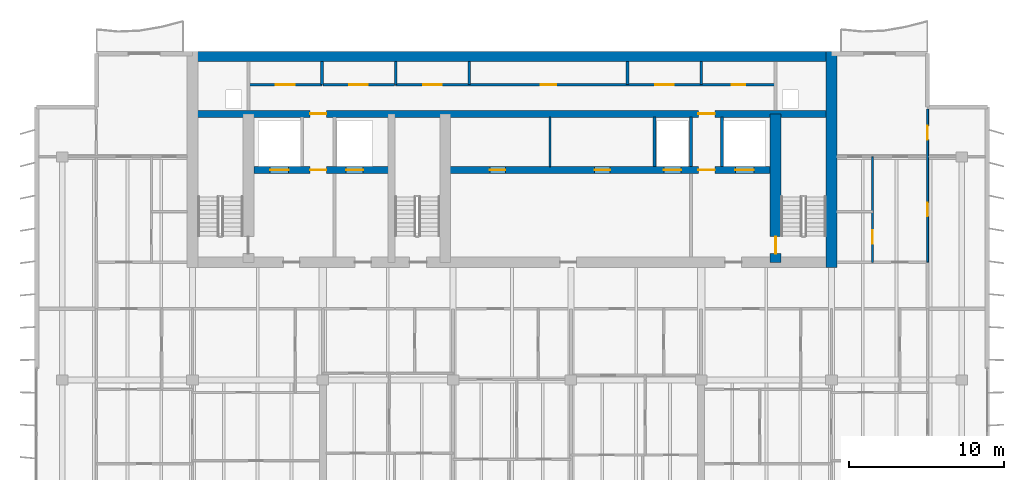
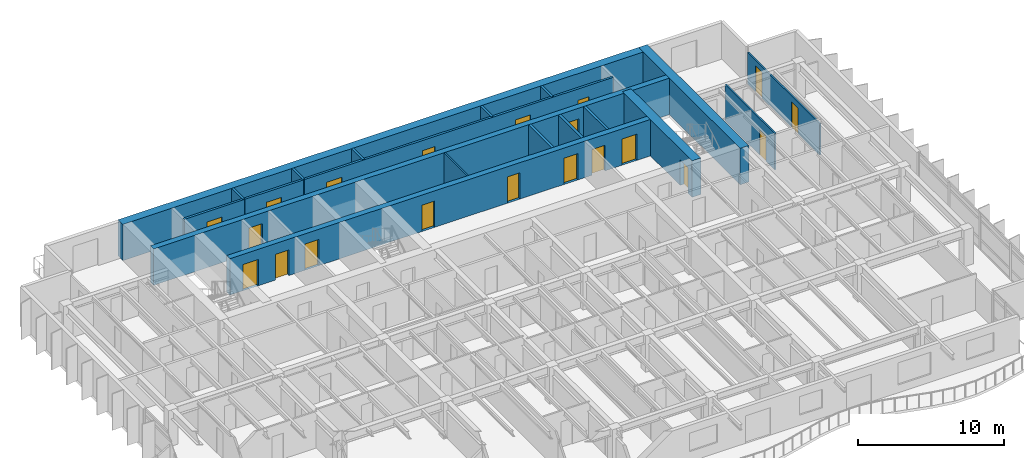
# One storey, part 10 of 16: 20 doors, 19 walls, 20 openings.
"""IFC4 building model written with IfcOpenShell, lengths in metres."""

from ifc_helpers import new_model, si_unit, direction, frame, frame_2d, origin, place, context, subcontext, project, spatial, rectangle, extrude, material, layer, layer_set, type_object, element, fill, save


model = new_model("IFC4")

# Units and contexts
model_context = context("Model", 3, precision=1e-05, world=origin(), true_north=direction((0.0, 1.0)))
body_context = subcontext(model_context, "Body", "Model", "MODEL_VIEW")
ifc_project = project(units=[si_unit("LENGTHUNIT", "METRE"), si_unit("AREAUNIT", "SQUARE_METRE"), si_unit("VOLUMEUNIT", "CUBIC_METRE"), si_unit("PLANEANGLEUNIT", "RADIAN"), si_unit("MASSUNIT", "GRAM", prefix="KILO")], contexts=[model_context])

# Site, building, storey
site_placement = place(None, origin())
site = spatial("IfcSite", under=ifc_project, at=site_placement, CompositionType="ELEMENT")
building_placement = place(site_placement, origin())
building = spatial("IfcBuilding", under=site, at=building_placement, Name="Caelmar Bay Residences", CompositionType="ELEMENT")
storey_placement = place(building_placement, frame((0.0, 0.0, 233.10009765625)))
storey = spatial("IfcBuildingStorey", under=building, at=storey_placement, Name="L65", CompositionType="ELEMENT", Elevation=233.10009765625)

# Wall
ifc_material_1 = material(Name="Concrete f'c 55 MPa (8,000 psi)", Category="concrete")
ifc_layer_1 = layer(ifc_material_1, 0.699951171875)
ifc_layer_set_1 = layer_set([ifc_layer_1], Name="Concrete f'c 55 MPa (8,000 psi)")
wall_type_1 = type_object("IfcWallType", Name="SW-COR-700", PredefinedType="SHEAR", material=ifc_layer_set_1)
wall_1_placement = place(storey_placement, frame((59.5, 36.64990234375, 0.0), z_axis=(0.0, 0.0, 1.0), x_axis=(0.0, 1.0, 0.0)))
element("IfcWall", 1, at=wall_1_placement, inside=storey, type_object=wall_type_1, Name="L65 Rear Core East Shear Wall", PredefinedType="SHEAR", context=body_context, shape_type="SweptSolid", body=[
    extrude(rectangle(XDim=13.9501953125, YDim=0.699951171875, at=frame_2d((6.97509765625, 0.0))), origin(), (0.0, 0.0, 1.0), 3.0498046875),
])

# Wall, opening, door
wall_2_placement = place(storey_placement, frame((55.89990234375, 37.0, 0.0), z_axis=(0.0, 0.0, 1.0), x_axis=(0.0, 1.0, 0.0)))
wall_2 = element("IfcWall", 2, at=wall_2_placement, inside=storey, type_object=wall_type_1, Name="L65 Core Structural Web Wall ST2W", PredefinedType="SHEAR", context=body_context, shape_type="SweptSolid", body=[
    extrude(rectangle(XDim=9.574951171875, YDim=0.699951171875, at=frame_2d((4.78759765625, 0.0))), origin(), (0.0, 0.0, 1.0), 3.0498046875),
])
opening_1_placement = place(wall_2_placement, frame((0.550048828125, 0.0, 0.0)))
opening_1 = element("IfcOpeningElement", 3, at=opening_1_placement, cuts=wall_2, Name="Opening D-L65-110", PredefinedType="OPENING", context=body_context, shape_type="SweptSolid", body=[
    extrude(rectangle(XDim=1.10009765625, YDim=2.14990234375, at=frame_2d((0.550048828125, 1.074951171875))), frame((0.0, 0.35986328125, 0.0), z_axis=(0.0, -1.0, 0.0), x_axis=(1.0, 0.0, 0.0)), (0.0, 0.0, 1.0), 0.719970703125),
])
ifc_material_2 = material(Name="Fire-rated steel and walnut architectural door assembly", Category="steel")
ifc_layer_2 = layer(ifc_material_2, 0.050048828125)
ifc_layer_set_2 = layer_set([ifc_layer_2], Name="Fire-rated steel and walnut architectural door assembly")
door_type_1 = type_object("IfcDoorType", Name="D-STAIR-1100", OperationType="NOTDEFINED", PredefinedType="DOOR", material=ifc_layer_set_2)
door_1_placement = place(opening_1_placement, origin())
door_1 = element("IfcDoor", 4, at=door_1_placement, inside=storey, type_object=door_type_1, Name="L65 Firefighting Lobby East Door", OperationType="SINGLE_SWING_LEFT", OverallHeight=2.14990234375, OverallWidth=1.10009765625, PredefinedType="DOOR", context=body_context, shape_type="SweptSolid", body=[
    extrude(rectangle(XDim=1.10009765625, YDim=2.14990234375, at=frame_2d((0.550048828125, 1.074951171875))), frame((0.0, 0.02490234375, 0.0), z_axis=(0.0, -1.0, 0.0), x_axis=(1.0, 0.0, 0.0)), (0.0, 0.0, 1.0), 0.050048828125),
])
fill(opening_1, door_1)

# Wall
ifc_layer_3 = layer(ifc_material_1, 0.64990234375)
ifc_layer_set_3 = layer_set([ifc_layer_3], Name="Concrete f'c 55 MPa (8,000 psi)")
wall_type_2 = type_object("IfcWallType", Name="SW-CORN-650", PredefinedType="SHEAR", material=ifc_layer_set_3)
wall_3_placement = place(storey_placement, frame((17.949951171875, 50.27490234375, 0.0), z_axis=(0.0, 0.0, 1.0), x_axis=(1.0, 0.0, 0.0)))
element("IfcWall", 5, at=wall_3_placement, inside=storey, type_object=wall_type_2, Name="L65 Rear Core North Shear Wall", PredefinedType="SHEAR", context=body_context, shape_type="SweptSolid", body=[
    extrude(rectangle(XDim=41.900146484375, YDim=0.64990234375, at=frame_2d((20.9501953125, 0.0))), origin(), (0.0, 0.0, 1.0), 3.0498046875),
])

# Wall, openings, doors
ifc_material_3 = material(Name="Concrete f'c 70 MPa (10,000 psi)", Category="concrete")
ifc_layer_4 = layer(ifc_material_3, 0.449951171875)
ifc_layer_set_4 = layer_set([ifc_layer_4], Name="Concrete f'c 70 MPa (10,000 psi)")
wall_type_3 = type_object("IfcWallType", Name="SW-WEB-450", PredefinedType="SHEAR", material=ifc_layer_set_4)
wall_4_placement = place(storey_placement, frame((22.25, 42.949951171875, 0.0), z_axis=(0.0, 0.0, 1.0), x_axis=(1.0, 0.0, 0.0)))
wall_4 = element("IfcWall", 6, at=wall_4_placement, inside=storey, type_object=wall_type_3, Name="L65 Core Structural Web Wall LFR", PredefinedType="SHEAR", context=body_context, shape_type="SweptSolid", body=[
    extrude(rectangle(XDim=33.300048828125, YDim=0.449951171875, at=frame_2d((16.64990234375, 0.0))), origin(), (0.0, 0.0, 1.0), 3.0498046875),
])
opening_2_placement = place(wall_4_placement, frame((1.050048828125, 0.0, 0.0)))
opening_2 = element("IfcOpeningElement", 7, at=opening_2_placement, cuts=wall_4, Name="Opening LD2", PredefinedType="OPENING", context=body_context, shape_type="SweptSolid", body=[
    extrude(rectangle(XDim=1.199951171875, YDim=2.199951171875, at=frame_2d((0.60009765625, 1.10009765625))), frame((0.0, 0.23486328125, 0.0), z_axis=(0.0, -1.0, 0.0), x_axis=(1.0, 0.0, 0.0)), (0.0, 0.0, 1.0), 0.469970703125),
])
opening_3_placement = place(wall_4_placement, frame((31.050048828125, 0.0, 0.0)))
opening_3 = element("IfcOpeningElement", 8, at=opening_3_placement, cuts=wall_4, Name="Opening LD2", PredefinedType="OPENING", context=body_context, shape_type="SweptSolid", body=[
    extrude(rectangle(XDim=1.199951171875, YDim=2.199951171875, at=frame_2d((0.60009765625, 1.10009765625))), frame((0.0, 0.23486328125, 0.0), z_axis=(0.0, -1.0, 0.0), x_axis=(1.0, 0.0, 0.0)), (0.0, 0.0, 1.0), 0.469970703125),
])
opening_4_placement = place(wall_4_placement, frame((26.449951171875, 0.0, 0.0)))
opening_4 = element("IfcOpeningElement", 9, at=opening_4_placement, cuts=wall_4, Name="Opening LD1", PredefinedType="OPENING", context=body_context, shape_type="SweptSolid", body=[
    extrude(rectangle(XDim=1.10009765625, YDim=2.199951171875, at=frame_2d((0.550048828125, 1.10009765625))), frame((0.0, 0.23486328125, 0.0), z_axis=(0.0, -1.0, 0.0), x_axis=(1.0, 0.0, 0.0)), (0.0, 0.0, 1.0), 0.469970703125),
])
opening_5_placement = place(wall_4_placement, frame((5.949951171875, 0.0, 0.0)))
opening_5 = element("IfcOpeningElement", 10, at=opening_5_placement, cuts=wall_4, Name="Opening LD1", PredefinedType="OPENING", context=body_context, shape_type="SweptSolid", body=[
    extrude(rectangle(XDim=1.10009765625, YDim=2.199951171875, at=frame_2d((0.550048828125, 1.10009765625))), frame((0.0, 0.23486328125, 0.0), z_axis=(0.0, -1.0, 0.0), x_axis=(1.0, 0.0, 0.0)), (0.0, 0.0, 1.0), 0.469970703125),
])
opening_6_placement = place(wall_4_placement, frame((3.625, 0.0, 0.0)))
opening_6 = element("IfcOpeningElement", 11, at=opening_6_placement, cuts=wall_4, Name="Opening D-L65-108", PredefinedType="OPENING", context=body_context, shape_type="SweptSolid", body=[
    extrude(rectangle(XDim=1.050048828125, YDim=2.14990234375, at=frame_2d((0.52490234375, 1.074951171875))), frame((0.0, 0.23486328125, 0.0), z_axis=(0.0, -1.0, 0.0), x_axis=(1.0, 0.0, 0.0)), (0.0, 0.0, 1.0), 0.469970703125),
])
opening_7_placement = place(wall_4_placement, frame((28.675048828125, 0.0, 0.0)))
opening_7 = element("IfcOpeningElement", 12, at=opening_7_placement, cuts=wall_4, Name="Opening D-L65-111", PredefinedType="OPENING", context=body_context, shape_type="SweptSolid", body=[
    extrude(rectangle(XDim=1.050048828125, YDim=2.14990234375, at=frame_2d((0.52490234375, 1.074951171875))), frame((0.0, 0.23486328125, 0.0), z_axis=(0.0, -1.0, 0.0), x_axis=(1.0, 0.0, 0.0)), (0.0, 0.0, 1.0), 0.469970703125),
])
opening_8_placement = place(wall_4_placement, frame((15.22509765625, 0.0, 0.0)))
opening_8 = element("IfcOpeningElement", 13, at=opening_8_placement, cuts=wall_4, Name="Opening D-L65-114", PredefinedType="OPENING", context=body_context, shape_type="SweptSolid", body=[
    extrude(rectangle(XDim=1.0, YDim=2.199951171875, at=frame_2d((0.5, 1.10009765625))), frame((0.0, 0.23486328125, 0.0), z_axis=(0.0, -1.0, 0.0), x_axis=(1.0, 0.0, 0.0)), (0.0, 0.0, 1.0), 0.469970703125),
])
opening_9_placement = place(wall_4_placement, frame((21.97509765625, 0.0, 0.0)))
opening_9 = element("IfcOpeningElement", 14, at=opening_9_placement, cuts=wall_4, Name="Opening D-L65-115", PredefinedType="OPENING", context=body_context, shape_type="SweptSolid", body=[
    extrude(rectangle(XDim=1.0, YDim=2.199951171875, at=frame_2d((0.5, 1.10009765625))), frame((0.0, 0.23486328125, 0.0), z_axis=(0.0, -1.0, 0.0), x_axis=(1.0, 0.0, 0.0)), (0.0, 0.0, 1.0), 0.469970703125),
])
ifc_layer_5 = layer(ifc_material_2, 0.050048828125)
ifc_layer_set_5 = layer_set([ifc_layer_5], Name="Fire-rated steel and walnut architectural door assembly")
door_type_2 = type_object("IfcDoorType", Name="D-FSAE-1050", OperationType="NOTDEFINED", PredefinedType="DOOR", material=ifc_layer_set_5)
door_2_placement = place(opening_6_placement, origin())
door_2 = element("IfcDoor", 15, at=door_2_placement, inside=storey, type_object=door_type_2, Name="L65 Firefighting Lobby West Door", OperationType="SINGLE_SWING_LEFT", OverallHeight=2.14990234375, OverallWidth=1.050048828125, PredefinedType="DOOR", context=body_context, shape_type="SweptSolid", body=[
    extrude(rectangle(XDim=1.050048828125, YDim=2.14990234375, at=frame_2d((0.52490234375, 1.074951171875))), frame((0.0, 0.02490234375, 0.0), z_axis=(0.0, -1.0, 0.0), x_axis=(1.0, 0.0, 0.0)), (0.0, 0.0, 1.0), 0.050048828125),
])
fill(opening_6, door_2)
door_3_placement = place(opening_7_placement, origin())
door_3 = element("IfcDoor", 16, at=door_3_placement, inside=storey, type_object=door_type_2, Name="L65 Firefighting Lobby East Door", OperationType="SINGLE_SWING_RIGHT", OverallHeight=2.14990234375, OverallWidth=1.050048828125, PredefinedType="DOOR", context=body_context, shape_type="SweptSolid", body=[
    extrude(rectangle(XDim=1.050048828125, YDim=2.14990234375, at=frame_2d((0.52490234375, 1.074951171875))), frame((0.0, 0.02490234375, 0.0), z_axis=(0.0, -1.0, 0.0), x_axis=(1.0, 0.0, 0.0)), (0.0, 0.0, 1.0), 0.050048828125),
])
fill(opening_7, door_3)
ifc_material_4 = material(Name="Brushed bronze stainless-steel fire-rated lift landing doors", Category="steel")
ifc_layer_6 = layer(ifc_material_4, 0.050048828125)
ifc_layer_set_6 = layer_set([ifc_layer_6], Name="Brushed bronze stainless-steel fire-rated lift landing doors")
door_type_3 = type_object("IfcDoorType", Name="D-LND-1100", OperationType="DOUBLE_DOOR_SLIDING", PredefinedType="DOOR", material=ifc_layer_set_6)
door_4_placement = place(opening_4_placement, origin())
door_4 = element("IfcDoor", 17, at=door_4_placement, inside=storey, type_object=door_type_3, Name="L65 LP6 Sliding Landing Door", OperationType="DOUBLE_DOOR_SLIDING", OverallHeight=2.199951171875, OverallWidth=1.10009765625, PredefinedType="DOOR", context=body_context, shape_type="SweptSolid", body=[
    extrude(rectangle(XDim=1.10009765625, YDim=2.199951171875, at=frame_2d((0.550048828125, 1.10009765625))), frame((0.0, 0.02490234375, 0.0), z_axis=(0.0, -1.0, 0.0), x_axis=(1.0, 0.0, 0.0)), (0.0, 0.0, 1.0), 0.050048828125),
])
fill(opening_4, door_4)
door_5_placement = place(opening_5_placement, origin())
door_5 = element("IfcDoor", 18, at=door_5_placement, inside=storey, type_object=door_type_3, Name="L65 LP7 Sliding Landing Door", OperationType="DOUBLE_DOOR_SLIDING", OverallHeight=2.199951171875, OverallWidth=1.10009765625, PredefinedType="DOOR", context=body_context, shape_type="SweptSolid", body=[
    extrude(rectangle(XDim=1.10009765625, YDim=2.199951171875, at=frame_2d((0.550048828125, 1.10009765625))), frame((0.0, 0.02490234375, 0.0), z_axis=(0.0, -1.0, 0.0), x_axis=(1.0, 0.0, 0.0)), (0.0, 0.0, 1.0), 0.050048828125),
])
fill(opening_5, door_5)
ifc_material_5 = material(Name="Brushed stainless-steel FSAE sliding landing door", Category="steel")
ifc_layer_7 = layer(ifc_material_5, 0.050048828125)
ifc_layer_set_7 = layer_set([ifc_layer_7], Name="Brushed stainless-steel FSAE sliding landing door")
door_type_4 = type_object("IfcDoorType", Name="D-LND-1200", OperationType="DOUBLE_DOOR_SLIDING", PredefinedType="DOOR", material=ifc_layer_set_7)
door_6_placement = place(opening_2_placement, origin())
door_6 = element("IfcDoor", 19, at=door_6_placement, inside=storey, type_object=door_type_4, Name="L65 LF1 Sliding Landing Door", OperationType="DOUBLE_DOOR_SLIDING", OverallHeight=2.199951171875, OverallWidth=1.199951171875, PredefinedType="DOOR", context=body_context, shape_type="SweptSolid", body=[
    extrude(rectangle(XDim=1.199951171875, YDim=2.199951171875, at=frame_2d((0.60009765625, 1.10009765625))), frame((0.0, 0.02490234375, 0.0), z_axis=(0.0, -1.0, 0.0), x_axis=(1.0, 0.0, 0.0)), (0.0, 0.0, 1.0), 0.050048828125),
])
fill(opening_2, door_6)
door_7_placement = place(opening_3_placement, origin())
door_7 = element("IfcDoor", 20, at=door_7_placement, inside=storey, type_object=door_type_4, Name="L65 LF2 Sliding Landing Door", OperationType="DOUBLE_DOOR_SLIDING", OverallHeight=2.199951171875, OverallWidth=1.199951171875, PredefinedType="DOOR", context=body_context, shape_type="SweptSolid", body=[
    extrude(rectangle(XDim=1.199951171875, YDim=2.199951171875, at=frame_2d((0.60009765625, 1.10009765625))), frame((0.0, 0.02490234375, 0.0), z_axis=(0.0, -1.0, 0.0), x_axis=(1.0, 0.0, 0.0)), (0.0, 0.0, 1.0), 0.050048828125),
])
fill(opening_3, door_7)
ifc_layer_8 = layer(ifc_material_2, 0.050048828125)
ifc_layer_set_8 = layer_set([ifc_layer_8], Name="Fire-rated steel and walnut architectural door assembly")
door_type_5 = type_object("IfcDoorType", Name="D-UNIT-1000", OperationType="NOTDEFINED", PredefinedType="DOOR", material=ifc_layer_set_8)
door_8_placement = place(opening_8_placement, origin())
door_8 = element("IfcDoor", 21, at=door_8_placement, inside=storey, type_object=door_type_5, Name="L65 Music Study Room Door", OperationType="SINGLE_SWING_LEFT", OverallHeight=2.199951171875, OverallWidth=1.0, PredefinedType="DOOR", context=body_context, shape_type="SweptSolid", body=[
    extrude(rectangle(XDim=1.0, YDim=2.199951171875, at=frame_2d((0.5, 1.10009765625))), frame((0.0, 0.02490234375, 0.0), z_axis=(0.0, -1.0, 0.0), x_axis=(1.0, 0.0, 0.0)), (0.0, 0.0, 1.0), 0.050048828125),
])
fill(opening_8, door_8)
door_9_placement = place(opening_9_placement, origin())
door_9 = element("IfcDoor", 22, at=door_9_placement, inside=storey, type_object=door_type_5, Name="L65 Board Meeting Room Door", OperationType="SINGLE_SWING_RIGHT", OverallHeight=2.199951171875, OverallWidth=1.0, PredefinedType="DOOR", context=body_context, shape_type="SweptSolid", body=[
    extrude(rectangle(XDim=1.0, YDim=2.199951171875, at=frame_2d((0.5, 1.10009765625))), frame((0.0, 0.02490234375, 0.0), z_axis=(0.0, -1.0, 0.0), x_axis=(1.0, 0.0, 0.0)), (0.0, 0.0, 1.0), 0.050048828125),
])
fill(opening_9, door_9)

wall_5_placement = place(storey_placement, frame((18.300048828125, 46.574951171875, 0.0), z_axis=(0.0, 0.0, 1.0), x_axis=(1.0, 0.0, 0.0)))
wall_5 = element("IfcWall", 23, at=wall_5_placement, inside=storey, type_object=wall_type_3, Name="L65 Core Structural Web Wall SRVS", PredefinedType="SHEAR", context=body_context, shape_type="SweptSolid", body=[
    extrude(rectangle(XDim=41.199951171875, YDim=0.449951171875, at=frame_2d((20.60009765625, 0.0))), origin(), (0.0, 0.0, 1.0), 3.0498046875),
])
opening_10_placement = place(wall_5_placement, frame((7.574951171875, 0.0, 0.0)))
opening_10 = element("IfcOpeningElement", 24, at=opening_10_placement, cuts=wall_5, Name="Opening D-L65-116", PredefinedType="OPENING", context=body_context, shape_type="SweptSolid", body=[
    extrude(rectangle(XDim=1.050048828125, YDim=2.14990234375, at=frame_2d((0.52490234375, 1.074951171875))), frame((0.0, 0.23486328125, 0.0), z_axis=(0.0, -1.0, 0.0), x_axis=(1.0, 0.0, 0.0)), (0.0, 0.0, 1.0), 0.469970703125),
])
opening_11_placement = place(wall_5_placement, frame((32.625, 0.0, 0.0)))
opening_11 = element("IfcOpeningElement", 25, at=opening_11_placement, cuts=wall_5, Name="Opening D-L65-117", PredefinedType="OPENING", context=body_context, shape_type="SweptSolid", body=[
    extrude(rectangle(XDim=1.050048828125, YDim=2.14990234375, at=frame_2d((0.52490234375, 1.074951171875))), frame((0.0, 0.23486328125, 0.0), z_axis=(0.0, -1.0, 0.0), x_axis=(1.0, 0.0, 0.0)), (0.0, 0.0, 1.0), 0.469970703125),
])
door_10_placement = place(opening_10_placement, origin())
door_10 = element("IfcDoor", 26, at=door_10_placement, inside=storey, type_object=door_type_2, Name="L65 Core Service Corridor Door", OperationType="SINGLE_SWING_LEFT", OverallHeight=2.14990234375, OverallWidth=1.050048828125, PredefinedType="DOOR", context=body_context, shape_type="SweptSolid", body=[
    extrude(rectangle(XDim=1.050048828125, YDim=2.14990234375, at=frame_2d((0.52490234375, 1.074951171875))), frame((0.0, 0.02490234375, 0.0), z_axis=(0.0, -1.0, 0.0), x_axis=(1.0, 0.0, 0.0)), (0.0, 0.0, 1.0), 0.050048828125),
])
fill(opening_10, door_10)
door_11_placement = place(opening_11_placement, origin())
door_11 = element("IfcDoor", 27, at=door_11_placement, inside=storey, type_object=door_type_2, Name="L65 Core Service Corridor Door", OperationType="SINGLE_SWING_RIGHT", OverallHeight=2.14990234375, OverallWidth=1.050048828125, PredefinedType="DOOR", context=body_context, shape_type="SweptSolid", body=[
    extrude(rectangle(XDim=1.050048828125, YDim=2.14990234375, at=frame_2d((0.52490234375, 1.074951171875))), frame((0.0, 0.02490234375, 0.0), z_axis=(0.0, -1.0, 0.0), x_axis=(1.0, 0.0, 0.0)), (0.0, 0.0, 1.0), 0.050048828125),
])
fill(opening_11, door_11)

# Walls
ifc_material_6 = material(Name="Double-stud acoustic fire-rated gypsum partition 180 mm")
ifc_layer_9 = layer(ifc_material_6, 0.179931640625)
ifc_layer_set_9 = layer_set([ifc_layer_9], Name="Double-stud acoustic fire-rated gypsum partition 180 mm")
wall_type_4 = type_object("IfcWallType", Name="W-COR-200", PredefinedType="PARTITIONING", material=ifc_layer_set_9)
for number, where, z_axis, x_axis, name in (
    (28, (26.64990234375, 48.449951171875, 0.0), (0.0, 0.0, 1.0), (0.0, 1.0, 0.0), "L65 Partition Wall V015"),
    (29, (31.39990234375, 48.449951171875, 0.0), (0.0, 0.0, 1.0), (0.0, 1.0, 0.0), "L65 Partition Wall V025"),
    (30, (36.14990234375, 48.449951171875, 0.0), (0.0, 0.0, 1.0), (0.0, 1.0, 0.0), "L65 Partition Wall V030"),
    (31, (46.35009765625, 48.449951171875, 0.0), (0.0, 0.0, 1.0), (0.0, 1.0, 0.0), "L65 Partition Wall V039"),
    (32, (51.10009765625, 48.449951171875, 0.0), (0.0, 0.0, 1.0), (0.0, 1.0, 0.0), "L65 Partition Wall V051"),
):
    element("IfcWall", number, at=place(storey_placement, frame(where, z_axis=z_axis, x_axis=x_axis)), inside=storey, type_object=wall_type_4, Name=name, PredefinedType="PARTITIONING", context=body_context, shape_type="SweptSolid", body=[
        extrude(rectangle(XDim=1.505126953125, YDim=0.179931640625, at=frame_2d((0.75244140625, 0.0))), origin(), (0.0, 0.0, 1.0), 3.0498046875),
    ])

# Wall, opening, door
wall_6_placement = place(storey_placement, frame((21.89990234375, 48.449951171875, 0.0), z_axis=(0.0, 0.0, 1.0), x_axis=(1.0, 0.0, 0.0)))
wall_6 = element("IfcWall", 33, at=wall_6_placement, inside=storey, type_object=wall_type_4, Name="L65 Partition Wall H099", PredefinedType="PARTITIONING", context=body_context, shape_type="SweptSolid", body=[
    extrude(rectangle(XDim=4.75, YDim=0.179931640625, at=frame_2d((2.375, 0.0))), origin(), (0.0, 0.0, 1.0), 3.0498046875),
])
opening_12_placement = place(wall_6_placement, frame((1.77490234375, 0.0, 0.0)))
opening_12 = element("IfcOpeningElement", 34, at=opening_12_placement, cuts=wall_6, Name="Opening D-L65-118", PredefinedType="OPENING", context=body_context, shape_type="SweptSolid", body=[
    extrude(rectangle(XDim=1.199951171875, YDim=2.199951171875, at=frame_2d((0.60009765625, 1.10009765625))), frame((0.0, 0.099853515625, 0.0), z_axis=(0.0, -1.0, 0.0), x_axis=(1.0, 0.0, 0.0)), (0.0, 0.0, 1.0), 0.199951171875),
])
ifc_layer_10 = layer(ifc_material_2, 0.050048828125)
ifc_layer_set_10 = layer_set([ifc_layer_10], Name="Fire-rated steel and walnut architectural door assembly")
door_type_6 = type_object("IfcDoorType", Name="D-PLANT-1200", OperationType="NOTDEFINED", PredefinedType="DOOR", material=ifc_layer_set_10)
door_12_placement = place(opening_12_placement, origin())
door_12 = element("IfcDoor", 35, at=door_12_placement, inside=storey, type_object=door_type_6, Name="L65 Branch Panel Closet Door", OperationType="SINGLE_SWING_LEFT", OverallHeight=2.199951171875, OverallWidth=1.199951171875, PredefinedType="DOOR", context=body_context, shape_type="SweptSolid", body=[
    extrude(rectangle(XDim=1.199951171875, YDim=2.199951171875, at=frame_2d((0.60009765625, 1.10009765625))), frame((0.0, 0.02490234375, 0.0), z_axis=(0.0, -1.0, 0.0), x_axis=(1.0, 0.0, 0.0)), (0.0, 0.0, 1.0), 0.050048828125),
])
fill(opening_12, door_12)

wall_7_placement = place(storey_placement, frame((26.699951171875, 48.449951171875, 0.0), z_axis=(0.0, 0.0, 1.0), x_axis=(1.0, 0.0, 0.0)))
wall_7 = element("IfcWall", 36, at=wall_7_placement, inside=storey, type_object=wall_type_4, Name="L65 Partition Wall H100", PredefinedType="PARTITIONING", context=body_context, shape_type="SweptSolid", body=[
    extrude(rectangle(XDim=4.6201171875, YDim=0.179931640625, at=frame_2d((2.31005859375, 0.0))), origin(), (0.0, 0.0, 1.0), 3.0498046875),
])
opening_13_placement = place(wall_7_placement, frame((1.7099609375, 0.0, 0.0)))
opening_13 = element("IfcOpeningElement", 37, at=opening_13_placement, cuts=wall_7, Name="Opening D-L65-119", PredefinedType="OPENING", context=body_context, shape_type="SweptSolid", body=[
    extrude(rectangle(XDim=1.199951171875, YDim=2.199951171875, at=frame_2d((0.60009765625, 1.10009765625))), frame((0.0, 0.099853515625, 0.0), z_axis=(0.0, -1.0, 0.0), x_axis=(1.0, 0.0, 0.0)), (0.0, 0.0, 1.0), 0.199951171875),
])
door_13_placement = place(opening_13_placement, origin())
door_13 = element("IfcDoor", 38, at=door_13_placement, inside=storey, type_object=door_type_6, Name="L65 Water Meter Closet Door", OperationType="SINGLE_SWING_RIGHT", OverallHeight=2.199951171875, OverallWidth=1.199951171875, PredefinedType="DOOR", context=body_context, shape_type="SweptSolid", body=[
    extrude(rectangle(XDim=1.199951171875, YDim=2.199951171875, at=frame_2d((0.60009765625, 1.10009765625))), frame((0.0, 0.02490234375, 0.0), z_axis=(0.0, -1.0, 0.0), x_axis=(1.0, 0.0, 0.0)), (0.0, 0.0, 1.0), 0.050048828125),
])
fill(opening_13, door_13)

# Wall, openings, doors
wall_8_placement = place(storey_placement, frame((31.39990234375, 48.449951171875, 0.0), z_axis=(0.0, 0.0, 1.0), x_axis=(1.0, 0.0, 0.0)))
wall_8 = element("IfcWall", 39, at=wall_8_placement, inside=storey, type_object=wall_type_4, Name="L65 Partition Wall H101", PredefinedType="PARTITIONING", context=body_context, shape_type="SweptSolid", body=[
    extrude(rectangle(XDim=24.5, YDim=0.179931640625, at=frame_2d((12.25, 0.0))), origin(), (0.0, 0.0, 1.0), 3.0498046875),
])
opening_14_placement = place(wall_8_placement, frame((1.77490234375, 0.0, 0.0)))
opening_14 = element("IfcOpeningElement", 40, at=opening_14_placement, cuts=wall_8, Name="Opening D-L65-120", PredefinedType="OPENING", context=body_context, shape_type="SweptSolid", body=[
    extrude(rectangle(XDim=1.199951171875, YDim=2.199951171875, at=frame_2d((0.60009765625, 1.10009765625))), frame((0.0, 0.099853515625, 0.0), z_axis=(0.0, -1.0, 0.0), x_axis=(1.0, 0.0, 0.0)), (0.0, 0.0, 1.0), 0.199951171875),
])
opening_15_placement = place(wall_8_placement, frame((9.35009765625, 0.0, 0.0)))
opening_15 = element("IfcOpeningElement", 41, at=opening_15_placement, cuts=wall_8, Name="Opening D-L65-121", PredefinedType="OPENING", context=body_context, shape_type="SweptSolid", body=[
    extrude(rectangle(XDim=1.0, YDim=2.199951171875, at=frame_2d((0.5, 1.10009765625))), frame((0.0, 0.099853515625, 0.0), z_axis=(0.0, -1.0, 0.0), x_axis=(1.0, 0.0, 0.0)), (0.0, 0.0, 1.0), 0.199951171875),
])
opening_16_placement = place(wall_8_placement, frame((16.72509765625, 0.0, 0.0)))
opening_16 = element("IfcOpeningElement", 42, at=opening_16_placement, cuts=wall_8, Name="Opening D-L65-122", PredefinedType="OPENING", context=body_context, shape_type="SweptSolid", body=[
    extrude(rectangle(XDim=1.199951171875, YDim=2.199951171875, at=frame_2d((0.60009765625, 1.10009765625))), frame((0.0, 0.099853515625, 0.0), z_axis=(0.0, -1.0, 0.0), x_axis=(1.0, 0.0, 0.0)), (0.0, 0.0, 1.0), 0.199951171875),
])
opening_17_placement = place(wall_8_placement, frame((21.675048828125, 0.0, 0.0)))
opening_17 = element("IfcOpeningElement", 43, at=opening_17_placement, cuts=wall_8, Name="Opening D-L65-123", PredefinedType="OPENING", context=body_context, shape_type="SweptSolid", body=[
    extrude(rectangle(XDim=0.85009765625, YDim=2.10009765625, at=frame_2d((0.425048828125, 1.050048828125))), frame((0.0, 0.099853515625, 0.0), z_axis=(0.0, -1.0, 0.0), x_axis=(1.0, 0.0, 0.0)), (0.0, 0.0, 1.0), 0.199951171875),
])
ifc_layer_11 = layer(ifc_material_2, 0.050048828125)
ifc_layer_set_11 = layer_set([ifc_layer_11], Name="Fire-rated steel and walnut architectural door assembly")
door_type_7 = type_object("IfcDoorType", Name="D-CORE-850", OperationType="NOTDEFINED", PredefinedType="DOOR", material=ifc_layer_set_11)
door_14_placement = place(opening_17_placement, origin())
door_14 = element("IfcDoor", 44, at=door_14_placement, inside=storey, type_object=door_type_7, Name="L65 Staff Restroom Door", OperationType="SINGLE_SWING_RIGHT", OverallHeight=2.10009765625, OverallWidth=0.85009765625, PredefinedType="DOOR", context=body_context, shape_type="SweptSolid", body=[
    extrude(rectangle(XDim=0.85009765625, YDim=2.10009765625, at=frame_2d((0.425048828125, 1.050048828125))), frame((0.0, 0.02490234375, 0.0), z_axis=(0.0, -1.0, 0.0), x_axis=(1.0, 0.0, 0.0)), (0.0, 0.0, 1.0), 0.050048828125),
])
fill(opening_17, door_14)
door_15_placement = place(opening_14_placement, origin())
door_15 = element("IfcDoor", 45, at=door_15_placement, inside=storey, type_object=door_type_6, Name="L65 Low-Voltage Data Closet Door", OperationType="SINGLE_SWING_LEFT", OverallHeight=2.199951171875, OverallWidth=1.199951171875, PredefinedType="DOOR", context=body_context, shape_type="SweptSolid", body=[
    extrude(rectangle(XDim=1.199951171875, YDim=2.199951171875, at=frame_2d((0.60009765625, 1.10009765625))), frame((0.0, 0.02490234375, 0.0), z_axis=(0.0, -1.0, 0.0), x_axis=(1.0, 0.0, 0.0)), (0.0, 0.0, 1.0), 0.050048828125),
])
fill(opening_14, door_15)
door_16_placement = place(opening_16_placement, origin())
door_16 = element("IfcDoor", 46, at=door_16_placement, inside=storey, type_object=door_type_6, Name="L65 Valet Trunk Closet Door", OperationType="SINGLE_SWING_LEFT", OverallHeight=2.199951171875, OverallWidth=1.199951171875, PredefinedType="DOOR", context=body_context, shape_type="SweptSolid", body=[
    extrude(rectangle(XDim=1.199951171875, YDim=2.199951171875, at=frame_2d((0.60009765625, 1.10009765625))), frame((0.0, 0.02490234375, 0.0), z_axis=(0.0, -1.0, 0.0), x_axis=(1.0, 0.0, 0.0)), (0.0, 0.0, 1.0), 0.050048828125),
])
fill(opening_16, door_16)
door_17_placement = place(opening_15_placement, origin())
door_17 = element("IfcDoor", 47, at=door_17_placement, inside=storey, type_object=door_type_5, Name="L65 Mail Sorting Office Door", OperationType="SINGLE_SWING_RIGHT", OverallHeight=2.199951171875, OverallWidth=1.0, PredefinedType="DOOR", context=body_context, shape_type="SweptSolid", body=[
    extrude(rectangle(XDim=1.0, YDim=2.199951171875, at=frame_2d((0.5, 1.10009765625))), frame((0.0, 0.02490234375, 0.0), z_axis=(0.0, -1.0, 0.0), x_axis=(1.0, 0.0, 0.0)), (0.0, 0.0, 1.0), 0.050048828125),
])
fill(opening_15, door_17)

# Walls
ifc_material_7 = material(Name="Fire-rated masonry and gypsum shaftliner assembly 200 mm", Category="masonry")
ifc_layer_12 = layer(ifc_material_7, 0.199951171875)
ifc_layer_set_12 = layer_set([ifc_layer_12], Name="Fire-rated masonry and gypsum shaftliner assembly 200 mm")
wall_type_5 = type_object("IfcWallType", Name="W-FSAE-200", PredefinedType="PARTITIONING", material=ifc_layer_set_12)
for number, where, z_axis, x_axis, name in (
    (48, (48.10009765625, 43.169921875, 0.0), (0.0, 0.0, 1.0), (0.0, 1.0, 0.0), "L65 Partition Wall V044"),
    (49, (50.449951171875, 43.169921875, 0.0), (0.0, 0.0, 1.0), (0.0, 1.0, 0.0), "L65 Partition Wall V047"),
    (50, (52.449951171875, 43.169921875, 0.0), (0.0, 0.0, 1.0), (0.0, 1.0, 0.0), "L65 Partition Wall V052"),
):
    element("IfcWall", number, at=place(storey_placement, frame(where, z_axis=z_axis, x_axis=x_axis)), inside=storey, type_object=wall_type_5, Name=name, PredefinedType="PARTITIONING", context=body_context, shape_type="SweptSolid", body=[
        extrude(rectangle(XDim=3.18505859375, YDim=0.199951171875, at=frame_2d((1.592529296875, 0.0))), origin(), (0.0, 0.0, 1.0), 3.0498046875),
    ])
ifc_material_8 = material(Name="Acoustic metal-stud gypsum partition 120 mm")
ifc_layer_13 = layer(ifc_material_8, 0.1201171875)
ifc_layer_set_13 = layer_set([ifc_layer_13], Name="Acoustic metal-stud gypsum partition 120 mm")
wall_type_6 = type_object("IfcWallType", Name="W-PRT-120", PredefinedType="PARTITIONING", material=ifc_layer_set_13)
wall_9_placement = place(storey_placement, frame((41.35009765625, 43.169921875, 0.0), z_axis=(0.0, 0.0, 1.0), x_axis=(0.0, 1.0, 0.0)))
element("IfcWall", 51, at=wall_9_placement, inside=storey, type_object=wall_type_6, Name="L65 Partition Wall V035", PredefinedType="PARTITIONING", context=body_context, shape_type="SweptSolid", body=[
    extrude(rectangle(XDim=3.18505859375, YDim=0.1201171875, at=frame_2d((1.592529296875, 0.0))), origin(), (0.0, 0.0, 1.0), 3.0498046875),
])

# Wall, opening, door
wall_10_placement = place(storey_placement, frame((62.14990234375, 37.0, 0.0), z_axis=(0.0, 0.0, 1.0), x_axis=(0.0, 1.0, 0.0)))
wall_10 = element("IfcWall", 52, at=wall_10_placement, inside=storey, type_object=wall_type_6, Name="L65 Partition Wall V060", PredefinedType="PARTITIONING", context=body_context, shape_type="SweptSolid", body=[
    extrude(rectangle(XDim=6.800048828125, YDim=0.1201171875, at=frame_2d((3.39990234375, 0.0))), origin(), (0.0, 0.0, 1.0), 3.0498046875),
])
opening_18_placement = place(wall_10_placement, frame((1.20703125, 0.0, 0.0)))
opening_18 = element("IfcOpeningElement", 53, at=opening_18_placement, cuts=wall_10, Name="Opening D-L65-174", PredefinedType="OPENING", context=body_context, shape_type="SweptSolid", body=[
    extrude(rectangle(XDim=0.85009765625, YDim=2.10009765625, at=frame_2d((0.425048828125, 1.050048828125))), frame((0.0, 0.070068359375, 0.0), z_axis=(0.0, -1.0, 0.0), x_axis=(1.0, 0.0, 0.0)), (0.0, 0.0, 1.0), 0.14013671875),
])
ifc_material_9 = material(Name="Solid walnut timber interior door leaf and frame", Category="wood")
ifc_layer_14 = layer(ifc_material_9, 0.050048828125)
ifc_layer_set_14 = layer_set([ifc_layer_14], Name="Solid walnut timber interior door leaf and frame")
door_type_8 = type_object("IfcDoorType", Name="D-BATH-850", OperationType="NOTDEFINED", PredefinedType="DOOR", material=ifc_layer_set_14)
door_18_placement = place(opening_18_placement, origin())
door_18 = element("IfcDoor", 54, at=door_18_placement, inside=storey, type_object=door_type_8, Name="L65 Residence EA Walk-In Closet Door", OperationType="SINGLE_SWING_LEFT", OverallHeight=2.10009765625, OverallWidth=0.85009765625, PredefinedType="DOOR", context=body_context, shape_type="SweptSolid", body=[
    extrude(rectangle(XDim=0.85009765625, YDim=2.10009765625, at=frame_2d((0.425048828125, 1.050048828125))), frame((0.0, 0.02490234375, 0.0), z_axis=(0.0, -1.0, 0.0), x_axis=(1.0, 0.0, 0.0)), (0.0, 0.0, 1.0), 0.050048828125),
])
fill(opening_18, door_18)

# Wall, openings, doors
wall_11_placement = place(storey_placement, frame((65.699951171875, 37.0048828125, 0.0), z_axis=(0.0, 0.0, 1.0), x_axis=(0.0, 1.0, 0.0)))
wall_11 = element("IfcWall", 55, at=wall_11_placement, inside=storey, type_object=wall_type_6, Name="L65 Partition Wall V066", PredefinedType="PARTITIONING", context=body_context, shape_type="SweptSolid", body=[
    extrude(rectangle(XDim=9.875, YDim=0.1201171875, at=frame_2d((4.9375, 0.0))), origin(), (0.0, 0.0, 1.0), 2.62890625),
])
opening_19_placement = place(wall_11_placement, frame((2.947509765625, 0.0, 0.0)))
opening_19 = element("IfcOpeningElement", 56, at=opening_19_placement, cuts=wall_11, Name="Opening D-L65-176", PredefinedType="OPENING", context=body_context, shape_type="SweptSolid", body=[
    extrude(rectangle(XDim=0.89990234375, YDim=2.14990234375, at=frame_2d((0.449951171875, 1.074951171875))), frame((0.0, 0.070068359375, 0.0), z_axis=(0.0, -1.0, 0.0), x_axis=(1.0, 0.0, 0.0)), (0.0, 0.0, 1.0), 0.14013671875),
])
opening_20_placement = place(wall_11_placement, frame((7.885009765625, 0.0, 0.0)))
opening_20 = element("IfcOpeningElement", 57, at=opening_20_placement, cuts=wall_11, Name="Opening D-L65-177", PredefinedType="OPENING", context=body_context, shape_type="SweptSolid", body=[
    extrude(rectangle(XDim=0.89990234375, YDim=2.14990234375, at=frame_2d((0.449951171875, 1.074951171875))), frame((0.0, 0.070068359375, 0.0), z_axis=(0.0, -1.0, 0.0), x_axis=(1.0, 0.0, 0.0)), (0.0, 0.0, 1.0), 0.14013671875),
])
ifc_layer_15 = layer(ifc_material_9, 0.050048828125)
ifc_layer_set_15 = layer_set([ifc_layer_15], Name="Solid walnut timber interior door leaf and frame")
door_type_9 = type_object("IfcDoorType", Name="D-ROOM-900", OperationType="NOTDEFINED", PredefinedType="DOOR", material=ifc_layer_set_15)
door_19_placement = place(opening_19_placement, origin())
door_19 = element("IfcDoor", 58, at=door_19_placement, inside=storey, type_object=door_type_9, Name="L65 Residence EA Sun Study Door", OperationType="SINGLE_SWING_LEFT", OverallHeight=2.14990234375, OverallWidth=0.89990234375, PredefinedType="DOOR", context=body_context, shape_type="SweptSolid", body=[
    extrude(rectangle(XDim=0.89990234375, YDim=2.14990234375, at=frame_2d((0.449951171875, 1.074951171875))), frame((0.0, 0.02490234375, 0.0), z_axis=(0.0, -1.0, 0.0), x_axis=(1.0, 0.0, 0.0)), (0.0, 0.0, 1.0), 0.050048828125),
])
fill(opening_19, door_19)
door_20_placement = place(opening_20_placement, origin())
door_20 = element("IfcDoor", 59, at=door_20_placement, inside=storey, type_object=door_type_9, Name="L65 Residence EA North Sitting Alcove Door", OperationType="SINGLE_SWING_RIGHT", OverallHeight=2.14990234375, OverallWidth=0.89990234375, PredefinedType="DOOR", context=body_context, shape_type="SweptSolid", body=[
    extrude(rectangle(XDim=0.89990234375, YDim=2.14990234375, at=frame_2d((0.449951171875, 1.074951171875))), frame((0.0, 0.02490234375, 0.0), z_axis=(0.0, -1.0, 0.0), x_axis=(1.0, 0.0, 0.0)), (0.0, 0.0, 1.0), 0.050048828125),
])
fill(opening_20, door_20)

save(model, "model.ifc")
